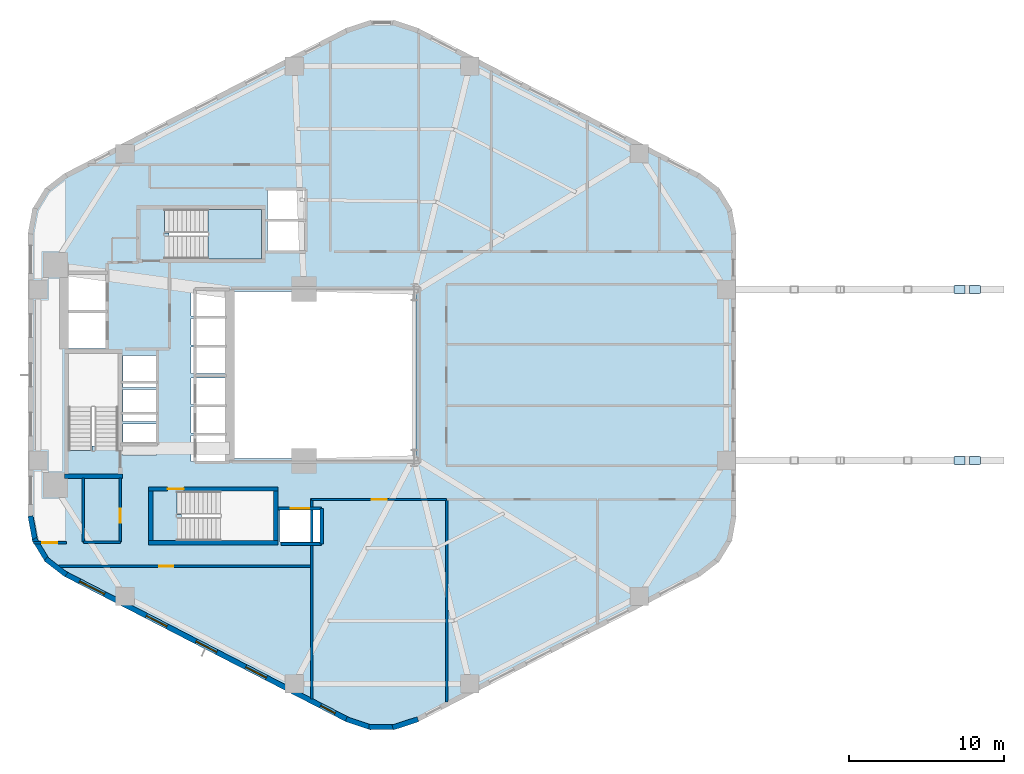
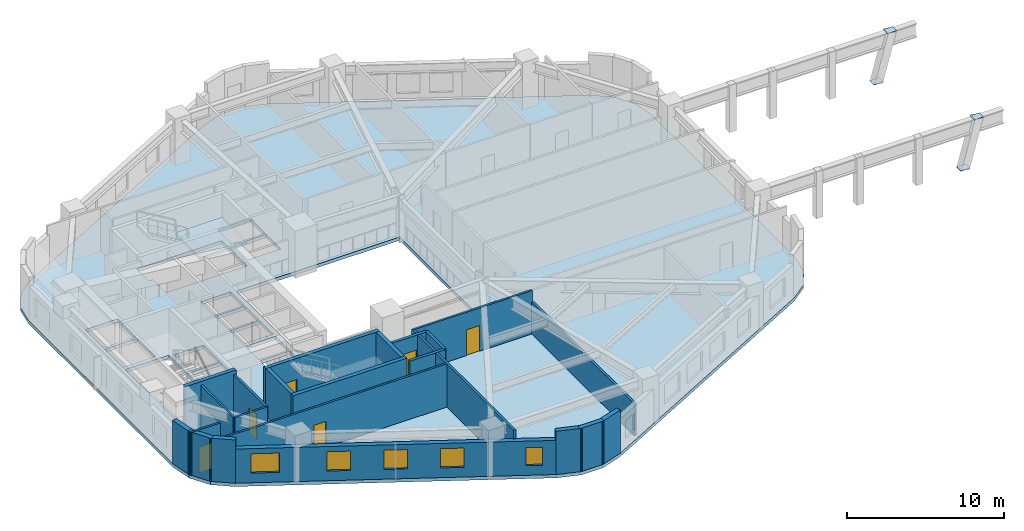
# One storey, part 2 of 7: 23 walls, 6 doors, 5 windows, 4 plates, 2 slabs, 11 openings, 1 element without a shape of its own.
"""IFC4 building model written with IfcOpenShell, lengths in metres."""

from ifc_helpers import new_model, si_unit, direction, frame, frame_2d, origin, origin_2d, place, context, subcontext, project, spatial, polyline, rectangle, outline, extrude, material, layer, layer_set, type_object, element, fill, aggregate, save


model = new_model("IFC4")

# Units and contexts
model_context = context("Model", 3, precision=1e-05, world=origin(), true_north=direction((0.0, 1.0)))
body_context = subcontext(model_context, "Body", "Model", "MODEL_VIEW")
ifc_project = project(units=[si_unit("LENGTHUNIT", "METRE"), si_unit("AREAUNIT", "SQUARE_METRE"), si_unit("VOLUMEUNIT", "CUBIC_METRE"), si_unit("PLANEANGLEUNIT", "RADIAN"), si_unit("MASSUNIT", "GRAM", prefix="KILO"), si_unit("THERMODYNAMICTEMPERATUREUNIT", "KELVIN"), si_unit("POWERUNIT", "WATT")], contexts=[model_context])

# Site, building, storey
site_placement = place(None, origin())
site = spatial("IfcSite", under=ifc_project, at=site_placement, CompositionType="ELEMENT")
building_placement = place(site_placement, origin())
building = spatial("IfcBuilding", under=site, at=building_placement, Name="Skarre Station Tower", CompositionType="ELEMENT")
storey_placement = place(building_placement, frame((0.0, 0.0, 48.89990234375)))
storey = spatial("IfcBuildingStorey", under=building, at=storey_placement, Name="L12", CompositionType="ELEMENT", Elevation=48.89990234375)

# Plates
ifc_material_1 = material(Name="Steel ASTM A572 Grade 50", Category="steel")
ifc_layer_1 = layer(ifc_material_1, 0.031982421875, Name="Steel ASTM A572 Grade 50")
ifc_layer_set_1 = layer_set([ifc_layer_1], Name="Steel ASTM A572 Grade 50")
plate_type = type_object("IfcPlateType", Name="Exoskeleton Strut Cap Plate 700x540x32", PredefinedType="USERDEFINED", material=ifc_layer_set_1)
for number, where, z_axis, x_axis, name in (
    (1, (74.693115234375, 18.47900390625, -0.2861328125), (0.0, 0.0, 1.0), (1.0, 0.0, 0.0), "L12 SB-1 Exoskeleton Tier-4 Base Gusset S1"),
    (2, (75.693115234375, 18.47900390625, 3.333984375), (0.0, 0.0, 1.0), (1.0, 0.0, 0.0), "L12 SB-1 Exoskeleton Tier-4 Head Gusset S1"),
    (3, (74.693115234375, 29.52099609375, -0.2861328125), (0.0, 0.0, 1.0), (1.0, 0.0, 0.0), "L12 SB-1 Exoskeleton Tier-4 Base Gusset S2"),
    (4, (75.693115234375, 29.52099609375, 3.333984375), (0.0, 0.0, 1.0), (1.0, 0.0, 0.0), "L12 SB-1 Exoskeleton Tier-4 Head Gusset S2"),
):
    element("IfcPlate", number, at=place(storey_placement, frame(where, z_axis=z_axis, x_axis=x_axis)), inside=storey, type_object=plate_type, Name=name, ObjectType="STIFFENER_PLATE", PredefinedType="USERDEFINED", context=body_context, shape_type="SweptSolid", body=[
        extrude(rectangle(XDim=0.699951171875, YDim=0.5400390625, at=origin_2d()), origin(), (0.0, 0.0, 1.0), 0.031982421875),
    ])

# Stair, slab
ifc_material_2 = material(Name="Concrete C40/50", Category="concrete")
stair_type = type_object("IfcStairType", Name="Reinforced Concrete Exit Stair ST-3", PredefinedType="HALF_TURN_STAIR", material=ifc_material_2)
stair_placement = place(storey_placement, origin())
stair = element("IfcStair", 5, at=stair_placement, inside=storey, type_object=stair_type, Name="L12 Core Exit Stair ST-3", PredefinedType="HALF_TURN_STAIR")
ifc_layer_2 = layer(ifc_material_2, 0.219970703125, Name="Concrete C40/50")
ifc_layer_set_2 = layer_set([ifc_layer_2], Name="Concrete C40/50")
slab_type_1 = type_object("IfcSlabType", Name="Reinforced Concrete Stair & Ramp Landing 220", PredefinedType="LANDING", material=ifc_layer_set_2)
slab_1_placement = place(storey_placement, frame((0.0, 0.0, 1.625)))
slab_1 = element("IfcSlab", 6, at=slab_1_placement, type_object=slab_type_1, Name="ST-3 landing 1", PredefinedType="LANDING", context=body_context, shape_type="SweptSolid", body=[
    extrude(outline(polyline([(26.14990234375, 31.5), (29.60009765625, 31.5), (29.60009765625, 34.699951171875), (26.14990234375, 34.699951171875), (26.14990234375, 31.5)])), origin(), (0.0, 0.0, 1.0), 0.2001953125),
])
aggregate(stair, [slab_1])

# Slab
ifc_material_3 = material(Name="Concrete C50/60", Category="concrete")
ifc_layer_3 = layer(ifc_material_3, 0.260009765625, Name="Concrete C50/60")
ifc_layer_set_3 = layer_set([ifc_layer_3], Name="Concrete C50/60")
slab_type_2 = type_object("IfcSlabType", Name="Tower Typical Composite Floor Slab 260", PredefinedType="FLOOR", material=ifc_layer_set_3)
slab_2_placement = place(storey_placement, frame((0.0, 0.0, -0.260009765625)))
element("IfcSlab", 7, at=slab_2_placement, inside=storey, type_object=slab_type_2, Name="L12 Zone 1 Structural Floor Slab", PredefinedType="FLOOR", context=body_context, shape_type="SweptSolid", body=[
    extrude(outline(polyline([(60.262939453125, 33.201904296875), (59.98193359375, 34.72412109375), (59.177001953125, 36.044921875), (57.9541015625, 36.991943359375), (39.708984375, 46.407958984375), (38.196044921875, 46.906005859375), (36.60400390625, 46.906005859375), (35.091064453125, 46.407958984375), (16.845947265625, 36.991943359375), (15.623046875, 36.044921875), (14.818115234375, 34.72412109375), (14.537109375, 33.201904296875), (14.537109375, 14.798095703125), (14.818115234375, 13.27587890625), (15.623046875, 11.955078125), (16.845947265625, 11.008056640625), (35.091064453125, 1.592041015625), (36.60400390625, 1.093994140625), (38.196044921875, 1.093994140625), (39.708984375, 1.592041015625), (57.9541015625, 11.008056640625), (59.177001953125, 11.955078125), (59.98193359375, 13.27587890625), (60.262939453125, 14.798095703125), (60.262939453125, 33.201904296875)]), holes=[polyline([(18.669921875, 19.419921875), (18.669921875, 19.123046875), (17.14990234375, 19.123046875), (17.14990234375, 25.39990234375), (20.35009765625, 25.39990234375), (20.35009765625, 19.419921875), (18.669921875, 19.419921875)]), polyline([(24.449951171875, 14.97998046875), (24.153076171875, 14.97998046875), (24.153076171875, 16.5), (30.39990234375, 16.5), (30.39990234375, 13.300048828125), (24.449951171875, 13.300048828125), (24.449951171875, 14.97998046875)]), polyline([(23.64990234375, 33.179931640625), (23.35302734375, 33.179931640625), (23.35302734375, 34.699951171875), (29.60009765625, 34.699951171875), (29.60009765625, 31.5), (23.64990234375, 31.5), (23.64990234375, 33.179931640625)]), polyline([(17.14990234375, 28.0), (19.550048828125, 28.0), (19.550048828125, 25.699951171875), (17.14990234375, 25.699951171875), (17.14990234375, 28.0)]), polyline([(17.14990234375, 30.5), (19.550048828125, 30.5), (19.550048828125, 28.199951171875), (17.14990234375, 28.199951171875), (17.14990234375, 30.5)]), polyline([(30.800048828125, 15.300048828125), (33.39990234375, 15.300048828125), (33.39990234375, 13.199951171875), (30.800048828125, 13.199951171875), (30.800048828125, 15.300048828125)]), polyline([(25.050048828125, 20.10009765625), (27.25, 20.10009765625), (27.25, 18.39990234375), (25.050048828125, 18.39990234375), (25.050048828125, 20.10009765625)]), polyline([(25.050048828125, 21.949951171875), (27.25, 21.949951171875), (27.25, 20.25), (25.050048828125, 20.25), (25.050048828125, 21.949951171875)]), polyline([(25.050048828125, 23.800048828125), (27.25, 23.800048828125), (27.25, 22.10009765625), (25.050048828125, 22.10009765625), (25.050048828125, 23.800048828125)]), polyline([(25.050048828125, 25.800048828125), (27.25, 25.800048828125), (27.25, 24.10009765625), (25.050048828125, 24.10009765625), (25.050048828125, 25.800048828125)]), polyline([(25.050048828125, 27.64990234375), (27.25, 27.64990234375), (27.25, 25.949951171875), (25.050048828125, 25.949951171875), (25.050048828125, 27.64990234375)]), polyline([(25.050048828125, 29.5), (27.25, 29.5), (27.25, 27.800048828125), (25.050048828125, 27.800048828125), (25.050048828125, 29.5)]), polyline([(20.64990234375, 20.85009765625), (22.800048828125, 20.85009765625), (22.800048828125, 18.800048828125), (20.64990234375, 18.800048828125), (20.64990234375, 20.85009765625)]), polyline([(20.64990234375, 23.050048828125), (22.800048828125, 23.050048828125), (22.800048828125, 21.0), (20.64990234375, 21.0), (20.64990234375, 23.050048828125)]), polyline([(20.64990234375, 25.25), (22.800048828125, 25.25), (22.800048828125, 23.199951171875), (20.64990234375, 23.199951171875), (20.64990234375, 25.25)]), polyline([(30.0, 33.89990234375), (32.39990234375, 33.89990234375), (32.39990234375, 32.050048828125), (30.0, 32.050048828125), (30.0, 33.89990234375)]), polyline([(30.0, 35.89990234375), (32.39990234375, 35.89990234375), (32.39990234375, 34.050048828125), (30.0, 34.050048828125), (30.0, 35.89990234375)]), polyline([(27.60009765625, 29.39990234375), (39.60009765625, 29.39990234375), (39.60009765625, 18.60009765625), (27.60009765625, 18.60009765625), (27.60009765625, 29.39990234375)])]), origin(), (0.0, 0.0, 1.0), 0.260009765625),
])

# Walls
ifc_material_4 = material(Name="Acoustic Steel-Stud Gypsum Partition", Category="steel")
ifc_layer_4 = layer(ifc_material_4, 0.14990234375, Name="Acoustic Steel-Stud Gypsum Partition")
ifc_layer_set_4 = layer_set([ifc_layer_4], Name="Acoustic Steel-Stud Gypsum Partition")
wall_type_1 = type_object("IfcWallType", Name="Fire-Rated Corridor Acoustic Partition 150", PredefinedType="PARTITIONING", material=ifc_layer_set_4)
wall_1_placement = place(storey_placement, frame((18.10009765625, 17.340087890625, 0.0), z_axis=(0.0, 0.0, 1.0), x_axis=(0.0, -1.0, 0.0)))
element("IfcWall", 8, at=wall_1_placement, inside=storey, type_object=wall_type_1, Name="L12 Interior Partition WL-PT-L12-CSVC-W", PredefinedType="PARTITIONING", context=body_context, shape_type="SweptSolid", body=[
    extrude(rectangle(XDim=4.14013671875, YDim=0.14990234375, at=frame_2d((2.070068359375, 0.0))), origin(), (0.0, 0.0, 1.0), 3.360107421875),
])
wall_2_placement = place(storey_placement, frame((18.10009765625, 13.199951171875, 0.0), z_axis=(0.0, 0.0, 1.0), x_axis=(1.0, 0.0, 0.0)))
element("IfcWall", 9, at=wall_2_placement, inside=storey, type_object=wall_type_1, Name="L12 Interior Partition WL-PT-L12-CSVC-S", PredefinedType="PARTITIONING", context=body_context, shape_type="SweptSolid", body=[
    extrude(rectangle(XDim=2.389892578125, YDim=0.14990234375, at=frame_2d((1.19482421875, 0.0))), origin(), (0.0, 0.0, 1.0), 3.360107421875),
])

# Wall, opening, door
wall_3_placement = place(storey_placement, frame((20.489990234375, 13.199951171875, 0.0), z_axis=(0.0, 0.0, 1.0), x_axis=(0.0, 1.0, 0.0)))
wall_3 = element("IfcWall", 10, at=wall_3_placement, inside=storey, type_object=wall_type_1, Name="L12 Interior Partition WL-PT-L12-CSVC-E", PredefinedType="PARTITIONING", context=body_context, shape_type="SweptSolid", body=[
    extrude(rectangle(XDim=4.14013671875, YDim=0.14990234375, at=frame_2d((2.070068359375, 0.0))), origin(), (0.0, 0.0, 1.0), 3.360107421875),
])
opening_1_placement = place(wall_3_placement, frame((1.25, 0.0, 0.0)))
opening_1 = element("IfcOpeningElement", 11, at=opening_1_placement, cuts=wall_3, Name="Opening DR-SVC90", PredefinedType="OPENING", context=body_context, shape_type="SweptSolid", body=[
    extrude(rectangle(XDim=0.89990234375, YDim=2.0, at=frame_2d((0.449951171875, 1.0))), frame((0.0, 0.0849609375, 0.0), z_axis=(0.0, -1.0, 0.0), x_axis=(1.0, 0.0, 0.0)), (0.0, 0.0, 1.0), 0.169921875),
])
ifc_material_5 = material(Name="Powder-Coated Hollow-Metal Acoustic Fire Leaf", Category="steel")
door_type_1 = type_object("IfcDoorType", Name="Service & Riser Fire Door FD60 900x2100", OperationType="SINGLE_SWING_LEFT", PredefinedType="DOOR", material=ifc_material_5)
door_1_placement = place(opening_1_placement, origin())
door_1 = element("IfcDoor", 12, at=door_1_placement, inside=storey, type_object=door_type_1, Name="L12 Core Pantry Door", OperationType="SINGLE_SWING_LEFT", OverallHeight=2.0, OverallWidth=0.89990234375, PredefinedType="DOOR", context=body_context, shape_type="SweptSolid", body=[
    extrude(rectangle(XDim=0.89990234375, YDim=2.0, at=frame_2d((0.449951171875, 1.0))), frame((0.0, 0.02490234375, 0.0), z_axis=(0.0, -1.0, 0.0), x_axis=(1.0, 0.0, 0.0)), (0.0, 0.0, 1.0), 0.050048828125),
])
fill(opening_1, door_1)

wall_4_placement = place(storey_placement, frame((16.487060546875, 11.639892578125, 0.0), z_axis=(0.0, 0.0, 1.0), x_axis=(1.0, 0.0, 0.0)))
wall_4 = element("IfcWall", 13, at=wall_4_placement, inside=storey, type_object=wall_type_1, Name="L12 Interior Partition WL-PT-L12-SWP-N", PredefinedType="PARTITIONING", context=body_context, shape_type="SweptSolid", body=[
    extrude(rectangle(XDim=16.363037109375, YDim=0.14990234375, at=frame_2d((8.181640625, 0.0))), origin(), (0.0, 0.0, 1.0), 3.360107421875),
])
opening_2_placement = place(wall_4_placement, frame((6.512939453125, 0.0, 0.0)))
opening_2 = element("IfcOpeningElement", 14, at=opening_2_placement, cuts=wall_4, Name="Opening DR-SVC90", PredefinedType="OPENING", context=body_context, shape_type="SweptSolid", body=[
    extrude(rectangle(XDim=0.89990234375, YDim=2.0, at=frame_2d((0.449951171875, 1.0))), frame((0.0, 0.0849609375, 0.0), z_axis=(0.0, -1.0, 0.0), x_axis=(1.0, 0.0, 0.0)), (0.0, 0.0, 1.0), 0.169921875),
])
door_2_placement = place(opening_2_placement, origin())
door_2 = element("IfcDoor", 15, at=door_2_placement, inside=storey, type_object=door_type_1, Name="L12 Floor Public Toilets Door", OperationType="SINGLE_SWING_LEFT", OverallHeight=2.0, OverallWidth=0.89990234375, PredefinedType="DOOR", context=body_context, shape_type="SweptSolid", body=[
    extrude(rectangle(XDim=0.89990234375, YDim=2.0, at=frame_2d((0.449951171875, 1.0))), frame((0.0, 0.02490234375, 0.0), z_axis=(0.0, -1.0, 0.0), x_axis=(1.0, 0.0, 0.0)), (0.0, 0.0, 1.0), 0.050048828125),
])
fill(opening_2, door_2)

wall_5_placement = place(storey_placement, frame((17.02001953125, 13.159912109375, 0.0), z_axis=(0.0, 0.0, 1.0), x_axis=(-1.0, 0.0, 0.0)))
wall_5 = element("IfcWall", 16, at=wall_5_placement, inside=storey, type_object=wall_type_1, Name="L12 Interior Partition WL-PT-L12-WW1-CW", PredefinedType="PARTITIONING", context=body_context, shape_type="SweptSolid", body=[
    extrude(rectangle(XDim=2.1201171875, YDim=0.14990234375, at=frame_2d((1.06005859375, 0.0))), origin(), (0.0, 0.0, 1.0), 3.360107421875),
])
opening_3_placement = place(wall_5_placement, frame((0.596923828125, 0.0, 0.0)))
opening_3 = element("IfcOpeningElement", 17, at=opening_3_placement, cuts=wall_5, Name="Opening DR-FD60", PredefinedType="OPENING", context=body_context, shape_type="SweptSolid", body=[
    extrude(rectangle(XDim=0.9599609375, YDim=2.0, at=frame_2d((0.47998046875, 1.0))), frame((0.0, 0.0849609375, 0.0), z_axis=(0.0, -1.0, 0.0), x_axis=(1.0, 0.0, 0.0)), (0.0, 0.0, 1.0), 0.169921875),
])
ifc_material_6 = material(Name="Nordic White-Oak Veneer Solid-Core Fire Leaf", Category="wood")
door_type_2 = type_object("IfcDoorType", Name="Corridor Suite Entry Fire Door FD60 960x2150", OperationType="SINGLE_SWING_LEFT", PredefinedType="DOOR", material=ifc_material_6)
door_3_placement = place(opening_3_placement, origin())
door_3 = element("IfcDoor", 18, at=door_3_placement, inside=storey, type_object=door_type_2, Name="L12 WW1 Entry Door", OperationType="SINGLE_SWING_LEFT", OverallHeight=2.0, OverallWidth=0.9599609375, PredefinedType="DOOR", context=body_context, shape_type="SweptSolid", body=[
    extrude(rectangle(XDim=0.9599609375, YDim=2.0, at=frame_2d((0.47998046875, 1.0))), frame((0.0, 0.02490234375, 0.0), z_axis=(0.0, -1.0, 0.0), x_axis=(1.0, 0.0, 0.0)), (0.0, 0.0, 1.0), 0.050048828125),
])
fill(opening_3, door_3)

wall_6_placement = place(storey_placement, frame((32.85009765625, 15.9599609375, 0.0), z_axis=(0.0, 0.0, 1.0), x_axis=(1.0, 0.0, 0.0)))
wall_6 = element("IfcWall", 19, at=wall_6_placement, inside=storey, type_object=wall_type_1, Name="L12 Interior Partition WL-PT-L12-SW1-CW", PredefinedType="PARTITIONING", context=body_context, shape_type="SweptSolid", body=[
    extrude(rectangle(XDim=8.705810546875, YDim=0.14990234375, at=frame_2d((4.35302734375, 0.0))), origin(), (0.0, 0.0, 1.0), 3.360107421875),
])
opening_4_placement = place(wall_6_placement, frame((3.873046875, 0.0, 0.0)))
opening_4 = element("IfcOpeningElement", 20, at=opening_4_placement, cuts=wall_6, Name="Opening DR-FD60", PredefinedType="OPENING", context=body_context, shape_type="SweptSolid", body=[
    extrude(rectangle(XDim=0.9599609375, YDim=2.0, at=frame_2d((0.47998046875, 1.0))), frame((0.0, 0.0849609375, 0.0), z_axis=(0.0, -1.0, 0.0), x_axis=(1.0, 0.0, 0.0)), (0.0, 0.0, 1.0), 0.169921875),
])
door_4_placement = place(opening_4_placement, origin())
door_4 = element("IfcDoor", 21, at=door_4_placement, inside=storey, type_object=door_type_2, Name="L12 SW1 Entry Door", OperationType="SINGLE_SWING_LEFT", OverallHeight=2.0, OverallWidth=0.9599609375, PredefinedType="DOOR", context=body_context, shape_type="SweptSolid", body=[
    extrude(rectangle(XDim=0.9599609375, YDim=2.0, at=frame_2d((0.47998046875, 1.0))), frame((0.0, 0.02490234375, 0.0), z_axis=(0.0, -1.0, 0.0), x_axis=(1.0, 0.0, 0.0)), (0.0, 0.0, 1.0), 0.050048828125),
])
fill(opening_4, door_4)

# Wall, openings, windows
ifc_material_7 = material(Name="Precast concrete C45/55", Category="concrete")
ifc_layer_5 = layer(ifc_material_7, 0.340087890625, Name="Precast concrete C45/55")
ifc_layer_set_5 = layer_set([ifc_layer_5], Name="Precast concrete C45/55")
wall_type_2 = type_object("IfcWallType", Name="Nordic Honed Precast Facet Wall 340", PredefinedType="STANDARD", material=ifc_layer_set_5)
wall_7_placement = place(storey_placement, frame((35.1689453125, 1.742919921875, 0.0), z_axis=(0.0, 0.0, 1.0), x_axis=(-0.888634413993, 0.458616264721, 0.0)))
wall_7 = element("IfcWall", 22, at=wall_7_placement, inside=storey, type_object=wall_type_2, Name="L12 Facet 3 Nordic Precast Masonry Wall", PredefinedType="STANDARD", context=body_context, shape_type="SweptSolid", body=[
    extrude(rectangle(XDim=20.53125, YDim=0.340087890625, at=frame_2d((10.265625, 0.0))), origin(), (0.0, 0.0, 1.0), 2.654052734375),
])
opening_5_placement = place(wall_7_placement, frame((0.902099609375, 0.0, 0.75)))
opening_5 = element("IfcOpeningElement", 23, at=opening_5_placement, cuts=wall_7, Name="Opening WN-SLT", PredefinedType="OPENING", context=body_context, shape_type="SweptSolid", body=[
    extrude(rectangle(XDim=1.050048828125, YDim=1.39990234375, at=frame_2d((0.52490234375, 0.699951171875))), frame((0.0, 0.179931640625, 0.0), z_axis=(0.0, -1.0, 0.0), x_axis=(1.0, 0.0, 0.0)), (0.0, 0.0, 1.0), 0.360107421875),
])
opening_6_placement = place(wall_7_placement, frame((5.903076171875, 0.0, 0.75)))
opening_6 = element("IfcOpeningElement", 24, at=opening_6_placement, cuts=wall_7, Name="Opening WN-Z1B", PredefinedType="OPENING", context=body_context, shape_type="SweptSolid", body=[
    extrude(rectangle(XDim=1.5, YDim=1.5, at=frame_2d((0.75, 0.75))), frame((0.0, 0.179931640625, 0.0), z_axis=(0.0, -1.0, 0.0), x_axis=(1.0, 0.0, 0.0)), (0.0, 0.0, 1.0), 0.360107421875),
])
opening_7_placement = place(wall_7_placement, frame((9.51611328125, 0.0, 0.75)))
opening_7 = element("IfcOpeningElement", 25, at=opening_7_placement, cuts=wall_7, Name="Opening WN-Z1B", PredefinedType="OPENING", context=body_context, shape_type="SweptSolid", body=[
    extrude(rectangle(XDim=1.5, YDim=1.5, at=frame_2d((0.75, 0.75))), frame((0.0, 0.179931640625, 0.0), z_axis=(0.0, -1.0, 0.0), x_axis=(1.0, 0.0, 0.0)), (0.0, 0.0, 1.0), 0.360107421875),
])
opening_8_placement = place(wall_7_placement, frame((13.12890625, 0.0, 0.75)))
opening_8 = element("IfcOpeningElement", 26, at=opening_8_placement, cuts=wall_7, Name="Opening WN-Z1B", PredefinedType="OPENING", context=body_context, shape_type="SweptSolid", body=[
    extrude(rectangle(XDim=1.5, YDim=1.5, at=frame_2d((0.75, 0.75))), frame((0.0, 0.179931640625, 0.0), z_axis=(0.0, -1.0, 0.0), x_axis=(1.0, 0.0, 0.0)), (0.0, 0.0, 1.0), 0.360107421875),
])
opening_9_placement = place(wall_7_placement, frame((17.673095703125, 0.0, 0.75)))
opening_9 = element("IfcOpeningElement", 27, at=opening_9_placement, cuts=wall_7, Name="Opening WN-Z1A", PredefinedType="OPENING", context=body_context, shape_type="SweptSolid", body=[
    extrude(rectangle(XDim=1.800048828125, YDim=1.5, at=frame_2d((0.89990234375, 0.75))), frame((0.0, 0.179931640625, 0.0), z_axis=(0.0, -1.0, 0.0), x_axis=(1.0, 0.0, 0.0)), (0.0, 0.0, 1.0), 0.360107421875),
])
ifc_material_8 = material(Name="Low-Iron Triple Glazing with Bronze Anodized Frame", Category="glass")
window_type_1 = type_object("IfcWindowType", Name="Nordic Corner Slot Window 1050x1400", PartitioningType="SINGLE_PANEL", PredefinedType="WINDOW", material=ifc_material_8)
window_1_placement = place(opening_5_placement, origin())
window_1 = element("IfcWindow", 28, at=window_1_placement, inside=storey, type_object=window_type_1, Name="L12 Facade Window WL-FAC-L12-F3-1", OverallHeight=1.39990234375, OverallWidth=1.050048828125, PartitioningType="SINGLE_PANEL", PredefinedType="WINDOW", context=body_context, shape_type="SweptSolid", body=[
    extrude(rectangle(XDim=1.050048828125, YDim=1.39990234375, at=frame_2d((0.52490234375, 0.699951171875))), frame((0.0, 0.030029296875, 0.0), z_axis=(0.0, -1.0, 0.0), x_axis=(1.0, 0.0, 0.0)), (0.0, 0.0, 1.0), 0.06005859375),
])
fill(opening_5, window_1)
window_type_2 = type_object("IfcWindowType", Name="Nordic Punched Triple-Glazed Window 1500x1500", PartitioningType="SINGLE_PANEL", PredefinedType="WINDOW", material=ifc_material_8)
window_2_placement = place(opening_6_placement, origin())
window_2 = element("IfcWindow", 29, at=window_2_placement, inside=storey, type_object=window_type_2, Name="L12 Facade Window WL-FAC-L12-F3-2", OverallHeight=1.5, OverallWidth=1.5, PartitioningType="SINGLE_PANEL", PredefinedType="WINDOW", context=body_context, shape_type="SweptSolid", body=[
    extrude(rectangle(XDim=1.5, YDim=1.5, at=frame_2d((0.75, 0.75))), frame((0.0, 0.030029296875, 0.0), z_axis=(0.0, -1.0, 0.0), x_axis=(1.0, 0.0, 0.0)), (0.0, 0.0, 1.0), 0.06005859375),
])
fill(opening_6, window_2)
window_3_placement = place(opening_7_placement, origin())
window_3 = element("IfcWindow", 30, at=window_3_placement, inside=storey, type_object=window_type_2, Name="L12 Facade Window WL-FAC-L12-F3-3", OverallHeight=1.5, OverallWidth=1.5, PartitioningType="SINGLE_PANEL", PredefinedType="WINDOW", context=body_context, shape_type="SweptSolid", body=[
    extrude(rectangle(XDim=1.5, YDim=1.5, at=frame_2d((0.75, 0.75))), frame((0.0, 0.030029296875, 0.0), z_axis=(0.0, -1.0, 0.0), x_axis=(1.0, 0.0, 0.0)), (0.0, 0.0, 1.0), 0.06005859375),
])
fill(opening_7, window_3)
window_4_placement = place(opening_8_placement, origin())
window_4 = element("IfcWindow", 31, at=window_4_placement, inside=storey, type_object=window_type_2, Name="L12 Facade Window WL-FAC-L12-F3-4", OverallHeight=1.5, OverallWidth=1.5, PartitioningType="SINGLE_PANEL", PredefinedType="WINDOW", context=body_context, shape_type="SweptSolid", body=[
    extrude(rectangle(XDim=1.5, YDim=1.5, at=frame_2d((0.75, 0.75))), frame((0.0, 0.030029296875, 0.0), z_axis=(0.0, -1.0, 0.0), x_axis=(1.0, 0.0, 0.0)), (0.0, 0.0, 1.0), 0.06005859375),
])
fill(opening_8, window_4)
window_type_3 = type_object("IfcWindowType", Name="Nordic Punched Triple-Glazed Window 1800x1500", PartitioningType="SINGLE_PANEL", PredefinedType="WINDOW", material=ifc_material_8)
window_5_placement = place(opening_9_placement, origin())
window_5 = element("IfcWindow", 32, at=window_5_placement, inside=storey, type_object=window_type_3, Name="L12 Facade Window WL-FAC-L12-F3-5", OverallHeight=1.5, OverallWidth=1.800048828125, PartitioningType="SINGLE_PANEL", PredefinedType="WINDOW", context=body_context, shape_type="SweptSolid", body=[
    extrude(rectangle(XDim=1.800048828125, YDim=1.5, at=frame_2d((0.89990234375, 0.75))), frame((0.0, 0.030029296875, 0.0), z_axis=(0.0, -1.0, 0.0), x_axis=(1.0, 0.0, 0.0)), (0.0, 0.0, 1.0), 0.06005859375),
])
fill(opening_9, window_5)

# Walls
ifc_layer_6 = layer(ifc_material_7, 0.330078125, Name="Precast concrete C45/55")
ifc_layer_set_6 = layer_set([ifc_layer_6], Name="Precast concrete C45/55")
wall_type_3 = type_object("IfcWallType", Name="Nordic Rounded Corner Precast Wall 330", PredefinedType="STANDARD", material=ifc_layer_set_6)
wall_8_placement = place(storey_placement, frame((16.998046875, 11.09912109375, 0.0), z_axis=(0.0, 0.0, 1.0), x_axis=(-0.790691856293, 0.61221433207, 0.0)))
element("IfcWall", 33, at=wall_8_placement, inside=storey, type_object=wall_type_3, Name="L12 Rounded Corner Precast Wall F3-1", PredefinedType="STANDARD", context=body_context, shape_type="SweptSolid", body=[
    extrude(rectangle(XDim=1.67578125, YDim=0.330078125, at=frame_2d((0.837890625, 0.0))), origin(), (0.0, 0.0, 1.0), 3.360107421875),
])
wall_9_placement = place(storey_placement, frame((15.798095703125, 11.985107421875, 0.0), z_axis=(0.0, 0.0, 1.0), x_axis=(-0.520584129191, 0.853810379671, 0.0)))
element("IfcWall", 34, at=wall_9_placement, inside=storey, type_object=wall_type_3, Name="L12 Rounded Corner Precast Wall F3-2", PredefinedType="STANDARD", context=body_context, shape_type="SweptSolid", body=[
    extrude(rectangle(XDim=1.677001953125, YDim=0.330078125, at=frame_2d((0.83837890625, 0.0))), origin(), (0.0, 0.0, 1.0), 3.360107421875),
])
wall_10_placement = place(storey_placement, frame((14.991943359375, 13.241943359375, 0.0), z_axis=(0.0, 0.0, 1.0), x_axis=(-0.181714143354, 0.983351397063, 0.0)))
element("IfcWall", 35, at=wall_10_placement, inside=storey, type_object=wall_type_3, Name="L12 Rounded Corner Precast Wall F3-3", PredefinedType="STANDARD", context=body_context, shape_type="SweptSolid", body=[
    extrude(rectangle(XDim=1.677978515625, YDim=0.330078125, at=frame_2d((0.8388671875, 0.0))), origin(), (0.0, 0.0, 1.0), 3.360107421875),
])
wall_11_placement = place(storey_placement, frame((39.718994140625, 1.76904296875, 0.0), z_axis=(0.0, 0.0, 1.0), x_axis=(-0.94976901097, -0.312951794691, 0.0)))
element("IfcWall", 36, at=wall_11_placement, inside=storey, type_object=wall_type_3, Name="L12 Rounded Corner Precast Wall F4-1", PredefinedType="STANDARD", context=body_context, shape_type="SweptSolid", body=[
    extrude(rectangle(XDim=1.722412109375, YDim=0.330078125, at=frame_2d((0.861328125, 0.0))), origin(), (0.0, 0.0, 1.0), 3.360107421875),
])
wall_12_placement = place(storey_placement, frame((38.260986328125, 1.259033203125, 0.0), z_axis=(0.0, 0.0, 1.0), x_axis=(-1.0, 0.0, 0.0)))
element("IfcWall", 37, at=wall_12_placement, inside=storey, type_object=wall_type_3, Name="L12 Rounded Corner Precast Wall F4-2", PredefinedType="STANDARD", context=body_context, shape_type="SweptSolid", body=[
    extrude(rectangle(XDim=1.721923828125, YDim=0.330078125, at=frame_2d((0.86083984375, 0.0))), origin(), (0.0, 0.0, 1.0), 3.360107421875),
])
wall_13_placement = place(storey_placement, frame((36.717041015625, 1.22998046875, 0.0), z_axis=(0.0, 0.0, 1.0), x_axis=(-0.94976901097, 0.312951794691, 0.0)))
element("IfcWall", 38, at=wall_13_placement, inside=storey, type_object=wall_type_3, Name="L12 Rounded Corner Precast Wall F4-3", PredefinedType="STANDARD", context=body_context, shape_type="SweptSolid", body=[
    extrude(rectangle(XDim=1.722412109375, YDim=0.330078125, at=frame_2d((0.861328125, 0.0))), origin(), (0.0, 0.0, 1.0), 3.360107421875),
])
ifc_layer_7 = layer(ifc_material_3, 0.280029296875, Name="Concrete C50/60")
ifc_layer_set_7 = layer_set([ifc_layer_7], Name="Concrete C50/60")
wall_type_4 = type_object("IfcWallType", Name="RC Core Shear Wall 280", PredefinedType="SHEAR", material=ifc_layer_set_7)
wall_14_placement = place(storey_placement, frame((16.8701171875, 17.4599609375, 0.0), z_axis=(0.0, 0.0, 1.0), x_axis=(1.0, 0.0, 0.0)))
element("IfcWall", 39, at=wall_14_placement, inside=storey, type_object=wall_type_4, Name="L12 Stair ST-1 South Shear Wall", PredefinedType="SHEAR", context=body_context, shape_type="SweptSolid", body=[
    extrude(rectangle(XDim=3.759765625, YDim=0.280029296875, at=frame_2d((1.8798828125, 0.0))), origin(), (0.0, 0.0, 1.0), 3.650146484375),
])
wall_15_placement = place(storey_placement, frame((22.320068359375, 13.159912109375, 0.0), z_axis=(0.0, 0.0, 1.0), x_axis=(1.0, 0.0, 0.0)))
element("IfcWall", 40, at=wall_15_placement, inside=storey, type_object=wall_type_4, Name="L12 Stair ST-2 South Shear Wall", PredefinedType="SHEAR", context=body_context, shape_type="SweptSolid", body=[
    extrude(rectangle(XDim=8.35986328125, YDim=0.280029296875, at=frame_2d((4.179931640625, 0.0))), origin(), (0.0, 0.0, 1.0), 3.650146484375),
])

# Wall, opening, door
wall_16_placement = place(storey_placement, frame((30.679931640625, 16.639892578125, 0.0), z_axis=(0.0, 0.0, 1.0), x_axis=(-1.0, 0.0, 0.0)))
wall_16 = element("IfcWall", 41, at=wall_16_placement, inside=storey, type_object=wall_type_4, Name="L12 Stair ST-2 North Shear Wall", PredefinedType="SHEAR", context=body_context, shape_type="SweptSolid", body=[
    extrude(rectangle(XDim=8.35986328125, YDim=0.280029296875, at=frame_2d((4.179931640625, 0.0))), origin(), (0.0, 0.0, 1.0), 3.650146484375),
])
opening_10_placement = place(wall_16_placement, frame((6.080078125, 0.0, 0.0)))
opening_10 = element("IfcOpeningElement", 42, at=opening_10_placement, cuts=wall_16, Name="Opening DR-FD90", PredefinedType="OPENING", context=body_context, shape_type="SweptSolid", body=[
    extrude(rectangle(XDim=1.050048828125, YDim=2.0, at=frame_2d((0.52490234375, 1.0))), frame((0.0, 0.14990234375, 0.0), z_axis=(0.0, -1.0, 0.0), x_axis=(1.0, 0.0, 0.0)), (0.0, 0.0, 1.0), 0.300048828125),
])
ifc_material_9 = material(Name="Fire-Rated Insulated Steel Frame & Timber Core Leaf", Category="steel")
door_type_3 = type_object("IfcDoorType", Name="Stair & FSAE Lobby Fire Door FD90 1050x2150", OperationType="SINGLE_SWING_RIGHT", PredefinedType="DOOR", material=ifc_material_9)
door_5_placement = place(opening_10_placement, origin())
door_5 = element("IfcDoor", 43, at=door_5_placement, inside=storey, type_object=door_type_3, Name="L12 Stair ST-2 Exit Door", OperationType="SINGLE_SWING_RIGHT", OverallHeight=2.0, OverallWidth=1.050048828125, PredefinedType="DOOR", context=body_context, shape_type="SweptSolid", body=[
    extrude(rectangle(XDim=1.050048828125, YDim=2.0, at=frame_2d((0.52490234375, 1.0))), frame((0.0, 0.02490234375, 0.0), z_axis=(0.0, -1.0, 0.0), x_axis=(1.0, 0.0, 0.0)), (0.0, 0.0, 1.0), 0.050048828125),
])
fill(opening_10, door_5)

# Walls
for number, where, z_axis, x_axis, name in (
    (44, (22.4599609375, 16.5, 0.0), (0.0, 0.0, 1.0), (0.0, -1.0, 0.0), "L12 Stair ST-2 West Shear Wall"),
    (45, (30.5400390625, 13.300048828125, 0.0), (0.0, 0.0, 1.0), (0.0, 1.0, 0.0), "L12 Stair ST-2 East Shear Wall"),
):
    element("IfcWall", number, at=place(storey_placement, frame(where, z_axis=z_axis, x_axis=x_axis)), inside=storey, type_object=wall_type_4, Name=name, PredefinedType="SHEAR", context=body_context, shape_type="SweptSolid", body=[
        extrude(rectangle(XDim=3.199951171875, YDim=0.280029296875, at=frame_2d((1.60009765625, 0.0))), origin(), (0.0, 0.0, 1.0), 3.650146484375),
    ])

# Wall, opening, door
ifc_material_10 = material(Name="Gypsum Concrete Shaft Assembly C30/37", Category="concrete")
ifc_layer_8 = layer(ifc_material_10, 0.199951171875, Name="Gypsum Concrete Shaft Assembly C30/37")
ifc_layer_set_8 = layer_set([ifc_layer_8], Name="Gypsum Concrete Shaft Assembly C30/37")
wall_type_5 = type_object("IfcWallType", Name="Shaft & Core Fire Partition 200", PredefinedType="PARTITIONING", material=ifc_layer_set_8)
wall_17_placement = place(storey_placement, frame((33.5, 15.3798828125, 0.0), z_axis=(0.0, 0.0, 1.0), x_axis=(-1.0, 0.0, 0.0)))
wall_17 = element("IfcWall", 46, at=wall_17_placement, inside=storey, type_object=wall_type_5, Name="L12 Interior Partition WL-PT-L12-SV1-N", PredefinedType="PARTITIONING", context=body_context, shape_type="SweptSolid", body=[
    extrude(rectangle(XDim=2.820068359375, YDim=0.199951171875, at=frame_2d((1.41015625, 0.0))), origin(), (0.0, 0.0, 1.0), 3.360107421875),
])
opening_11_placement = place(wall_17_placement, frame((0.800048828125, 0.0, 0.0)))
opening_11 = element("IfcOpeningElement", 47, at=opening_11_placement, cuts=wall_17, Name="Opening LD-SV1", PredefinedType="OPENING", context=body_context, shape_type="SweptSolid", body=[
    extrude(rectangle(XDim=1.199951171875, YDim=2.199951171875, at=frame_2d((0.60009765625, 1.10009765625))), frame((0.0, 0.10986328125, 0.0), z_axis=(0.0, -1.0, 0.0), x_axis=(1.0, 0.0, 0.0)), (0.0, 0.0, 1.0), 0.219970703125),
])
ifc_material_11 = material(Name="Heavy-Gauge Brushed Stainless Steel Sliding Leaves", Category="steel")
door_type_4 = type_object("IfcDoorType", Name="Service Elevator Wide Sliding Landing Door 1200x2200", OperationType="SLIDING_TO_RIGHT", PredefinedType="DOOR", material=ifc_material_11)
door_6_placement = place(opening_11_placement, origin())
door_6 = element("IfcDoor", 48, at=door_6_placement, inside=storey, type_object=door_type_4, Name="L12 Service Lift LF-SV1 Landing Door", OperationType="SLIDING_TO_RIGHT", OverallHeight=2.199951171875, OverallWidth=1.199951171875, PredefinedType="DOOR", context=body_context, shape_type="SweptSolid", body=[
    extrude(rectangle(XDim=1.199951171875, YDim=2.199951171875, at=frame_2d((0.60009765625, 1.10009765625))), frame((0.0, 0.02490234375, 0.0), z_axis=(0.0, -1.0, 0.0), x_axis=(1.0, 0.0, 0.0)), (0.0, 0.0, 1.0), 0.050048828125),
])
fill(opening_11, door_6)

# Walls
wall_18_placement = place(storey_placement, frame((33.5, 13.080078125, 0.0), z_axis=(0.0, 0.0, 1.0), x_axis=(0.0, 1.0, 0.0)))
element("IfcWall", 49, at=wall_18_placement, inside=storey, type_object=wall_type_5, Name="L12 Interior Partition WL-PT-L12-SV1-E", PredefinedType="PARTITIONING", context=body_context, shape_type="SweptSolid", body=[
    extrude(rectangle(XDim=2.2998046875, YDim=0.199951171875, at=frame_2d((1.14990234375, 0.0))), origin(), (0.0, 0.0, 1.0), 3.360107421875),
])
wall_19_placement = place(storey_placement, frame((30.87890625, 13.080078125, 0.0), z_axis=(0.0, 0.0, 1.0), x_axis=(1.0, 0.0, 0.0)))
element("IfcWall", 50, at=wall_19_placement, inside=storey, type_object=wall_type_5, Name="L12 Interior Partition WL-PT-L12-SV1-S", PredefinedType="PARTITIONING", context=body_context, shape_type="SweptSolid", body=[
    extrude(rectangle(XDim=2.62109375, YDim=0.199951171875, at=frame_2d((1.310546875, 0.0))), origin(), (0.0, 0.0, 1.0), 3.360107421875),
])
ifc_layer_9 = layer(ifc_material_4, 0.1650390625, Name="Acoustic Steel-Stud Gypsum Partition")
ifc_layer_set_9 = layer_set([ifc_layer_9], Name="Acoustic Steel-Stud Gypsum Partition")
wall_type_6 = type_object("IfcWallType", Name="Suite Demising Acoustic Partition 165", PredefinedType="PARTITIONING", material=ifc_layer_set_9)
wall_20_placement = place(storey_placement, frame((32.85009765625, 3.06396484375, 0.0), z_axis=(0.0, 0.0, 1.0), x_axis=(0.0, 1.0, 0.0)))
element("IfcWall", 51, at=wall_20_placement, inside=storey, type_object=wall_type_6, Name="L12 Interior Partition WL-PT-L12-SWP-E", PredefinedType="PARTITIONING", context=body_context, shape_type="SweptSolid", body=[
    extrude(rectangle(XDim=12.966064453125, YDim=0.1650390625, at=frame_2d((6.48291015625, 0.0))), origin(), (0.0, 0.0, 1.0), 3.360107421875),
])
wall_21_placement = place(storey_placement, frame((41.573974609375, 2.881103515625, 0.0), z_axis=(0.0, 0.0, 1.0), x_axis=(0.0, 1.0, 0.0)))
element("IfcWall", 52, at=wall_21_placement, inside=storey, type_object=wall_type_6, Name="L12 Interior Partition WL-PT-L12-SW-P1", PredefinedType="PARTITIONING", context=body_context, shape_type="SweptSolid", body=[
    extrude(rectangle(XDim=13.048828125, YDim=0.1650390625, at=frame_2d((6.5244140625, 0.0))), origin(), (0.0, 0.0, 1.0), 2.483154296875),
])

save(model, "model.ifc")
